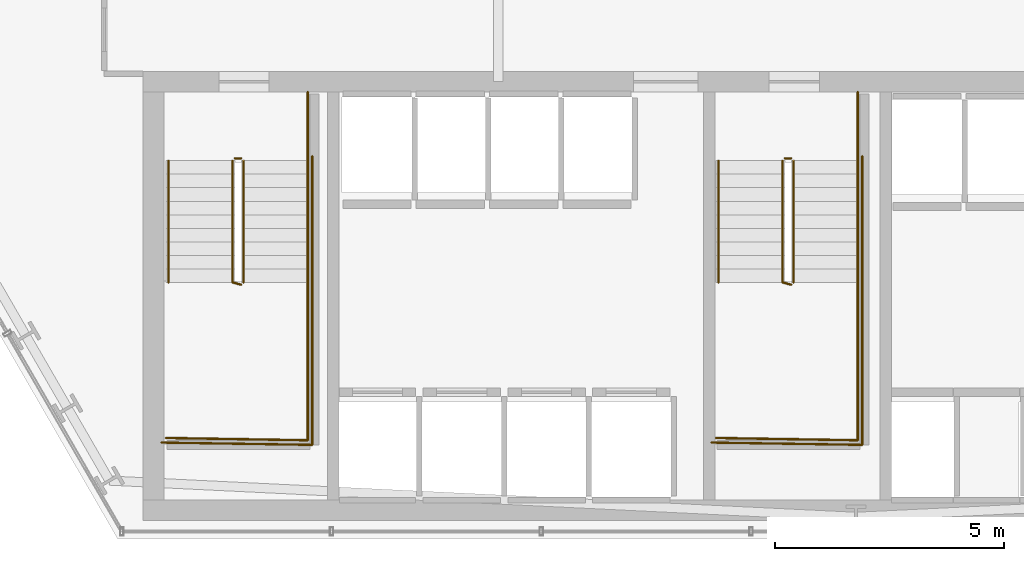
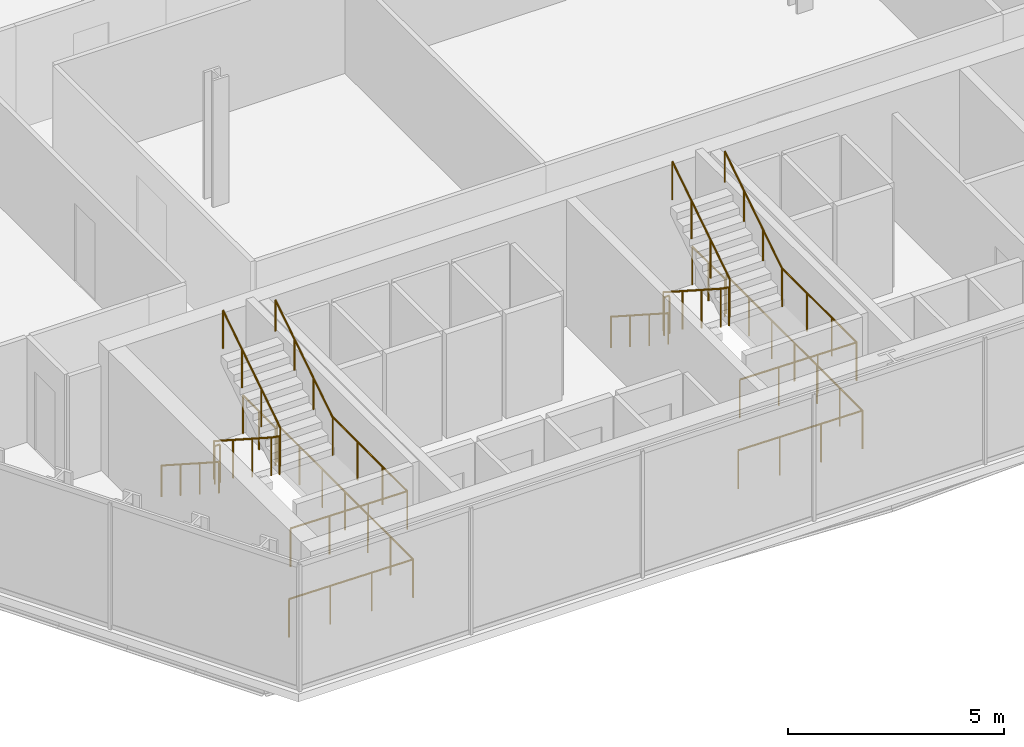
# One storey, part 30 of 32: 16 railings.
"""IFC4 building model written with IfcOpenShell, lengths in metres."""

from ifc_helpers import new_model, si_unit, direction, frame, origin, origin_2d, place, context, subcontext, project, spatial, circle, extrude, material, layer, layer_set, type_object, element, save


model = new_model("IFC4")

# Units and contexts
model_context = context("Model", 3, precision=1e-05, world=origin(), true_north=direction((0.0, 1.0)))
body_context = subcontext(model_context, "Body", "Model", "MODEL_VIEW")
ifc_project = project(units=[si_unit("LENGTHUNIT", "METRE"), si_unit("AREAUNIT", "SQUARE_METRE"), si_unit("VOLUMEUNIT", "CUBIC_METRE"), si_unit("PLANEANGLEUNIT", "RADIAN"), si_unit("MASSUNIT", "GRAM", prefix="KILO")], contexts=[model_context])

# Site, building, storey
site_placement = place(None, origin())
site = spatial("IfcSite", under=ifc_project, at=site_placement, CompositionType="ELEMENT")
building_placement = place(site_placement, origin())
building = spatial("IfcBuilding", under=site, at=building_placement, Name="Ndaravel Arena Tower", CompositionType="ELEMENT")
storey_placement = place(building_placement, frame((0.0, 0.0, 74.0)))
storey = spatial("IfcBuildingStorey", under=building, at=storey_placement, Name="L16", CompositionType="ELEMENT", Elevation=74.0)

# Railings
ifc_material_1 = material(Name="Steel S355", Category="steel")
ifc_layer_1 = layer(ifc_material_1, 0.06005859375)
ifc_layer_set_1 = layer_set([ifc_layer_1], Name="Steel S355")
railing_type_1 = type_object("IfcRailingType", Name="RAIL-STAIR-GD1100", PredefinedType="GUARDRAIL", material=ifc_layer_set_1)
railing_1_placement = place(storey_placement, frame((28.39990234375, 13.25, 0.18994140625)))
element("IfcRailing", 1, at=railing_1_placement, inside=storey, type_object=railing_type_1, Name="L16 ST-1 stair guard 1", PredefinedType="GUARDRAIL", context=body_context, shape_type="SweptSolid", body=[
    extrude(circle(Radius=0.02392578125, at=origin_2d()), frame((0.0, 0.0, 1.076171875), z_axis=(0.0, -0.840723540582, 0.54146461409), x_axis=(1.0, 0.0, 0.0)), (0.0, 0.0, 1.0), 3.157958984375),
    extrude(circle(Radius=0.02392578125, at=origin_2d()), frame((0.0, -2.655029296875, 2.7861328125), z_axis=(0.967074537263, -0.25449329928, 0.0), x_axis=(0.25449329928, 0.967074537263, 0.0)), (0.0, 0.0, 1.0), 0.19677734375),
    extrude(circle(Radius=0.02099609375, at=origin_2d()), origin(), (0.0, 0.0, 1.0), 1.052001953125),
    extrude(circle(Radius=0.02099609375, at=origin_2d()), frame((0.0, -0.885009765625, 0.570068359375)), (0.0, 0.0, 1.0), 1.052001953125),
    extrude(circle(Radius=0.02099609375, at=origin_2d()), frame((0.0, -1.77001953125, 1.139892578125)), (0.0, 0.0, 1.0), 1.052001953125),
    extrude(circle(Radius=0.02099609375, at=origin_2d()), frame((0.0, -2.655029296875, 1.7099609375)), (0.0, 0.0, 1.0), 1.052001953125),
    extrude(circle(Radius=0.02099609375, at=origin_2d()), frame((0.190185546875, -2.705078125, 1.7099609375)), (0.0, 0.0, 1.0), 1.052001953125),
])
railing_2_placement = place(storey_placement, frame((30.0400390625, 10.594970703125, 1.89990234375)))
element("IfcRailing", 2, at=railing_2_placement, inside=storey, type_object=railing_type_1, Name="L16 ST-1 stair guard 2", PredefinedType="GUARDRAIL", context=body_context, shape_type="SweptSolid", body=[
    extrude(circle(Radius=0.02392578125, at=origin_2d()), frame((0.0, 0.0, 1.076171875), z_axis=(0.0, -1.0, 0.0), x_axis=(1.0, 0.0, 0.0)), (0.0, 0.0, 1.0), 3.445068359375),
    extrude(circle(Radius=0.02392578125, at=origin_2d()), frame((0.0, -3.445068359375, 1.076171875), z_axis=(-0.999868861343, 0.016194447071, 0.0), x_axis=(-0.016194447071, -0.999868861343, 0.0)), (0.0, 0.0, 1.0), 3.090576171875),
    extrude(circle(Radius=0.02099609375, at=origin_2d()), origin(), (0.0, 0.0, 1.0), 1.052001953125),
    extrude(circle(Radius=0.02099609375, at=origin_2d()), frame((0.0, -1.1484375, 0.0)), (0.0, 0.0, 1.0), 1.052001953125),
    extrude(circle(Radius=0.02099609375, at=origin_2d()), frame((0.0, -2.296630859375, 0.0)), (0.0, 0.0, 1.0), 1.052001953125),
    extrude(circle(Radius=0.02099609375, at=origin_2d()), frame((0.0, -3.445068359375, 0.0)), (0.0, 0.0, 1.0), 1.052001953125),
    extrude(circle(Radius=0.02099609375, at=origin_2d()), frame((-1.030029296875, -3.428466796875, 0.0)), (0.0, 0.0, 1.0), 1.052001953125),
    extrude(circle(Radius=0.02099609375, at=origin_2d()), frame((-2.06005859375, -3.41162109375, 0.0)), (0.0, 0.0, 1.0), 1.052001953125),
    extrude(circle(Radius=0.02099609375, at=origin_2d()), frame((-3.090087890625, -3.39501953125, 0.0)), (0.0, 0.0, 1.0), 1.052001953125),
])
railing_3_placement = place(storey_placement, frame((28.639892578125, 10.594970703125, 2.090087890625)))
element("IfcRailing", 3, at=railing_3_placement, inside=storey, type_object=railing_type_1, Name="L16 ST-1 stair guard 3", PredefinedType="GUARDRAIL", context=body_context, shape_type="SweptSolid", body=[
    extrude(circle(Radius=0.02392578125, at=origin_2d()), frame((0.0, 0.0, 1.076171875), z_axis=(0.0, 0.840723540582, 0.54146461409), x_axis=(-1.0, 0.0, 0.0)), (0.0, 0.0, 1.0), 3.157958984375),
    extrude(circle(Radius=0.02099609375, at=origin_2d()), origin(), (0.0, 0.0, 1.0), 1.052001953125),
    extrude(circle(Radius=0.02099609375, at=origin_2d()), frame((0.0, 0.885009765625, 0.570068359375)), (0.0, 0.0, 1.0), 1.052001953125),
    extrude(circle(Radius=0.02099609375, at=origin_2d()), frame((0.0, 1.77001953125, 1.139892578125)), (0.0, 0.0, 1.0), 1.052001953125),
    extrude(circle(Radius=0.02099609375, at=origin_2d()), frame((0.0, 2.655029296875, 1.7099609375)), (0.0, 0.0, 1.0), 1.052001953125),
])
railing_4_placement = place(storey_placement, frame((28.449951171875, 13.300048828125, 0.0)))
element("IfcRailing", 4, at=railing_4_placement, inside=storey, type_object=railing_type_1, Name="L16 ST-1 stair guard 4", PredefinedType="GUARDRAIL", context=body_context, shape_type="SweptSolid", body=[
    extrude(circle(Radius=0.02392578125, at=origin_2d()), frame((0.0, 0.0, 1.076171875), z_axis=(1.0, 0.0, 0.0), x_axis=(0.0, 1.0, 0.0)), (0.0, 0.0, 1.0), 0.14013671875),
    extrude(circle(Radius=0.02099609375, at=origin_2d()), origin(), (0.0, 0.0, 1.0), 1.052001953125),
    extrude(circle(Radius=0.02099609375, at=origin_2d()), frame((0.14013671875, 0.0, 0.0)), (0.0, 0.0, 1.0), 1.052001953125),
])
railing_5_placement = place(storey_placement, frame((30.0400390625, 14.75, 0.0)))
element("IfcRailing", 5, at=railing_5_placement, inside=storey, type_object=railing_type_1, Name="L16 ST-1 stair guard 5", PredefinedType="GUARDRAIL", context=body_context, shape_type="SweptSolid", body=[
    extrude(circle(Radius=0.02392578125, at=origin_2d()), frame((0.0, 0.0, 1.076171875), z_axis=(0.0, -1.0, 0.0), x_axis=(1.0, 0.0, 0.0)), (0.0, 0.0, 1.0), 1.5),
    extrude(circle(Radius=0.02099609375, at=origin_2d()), origin(), (0.0, 0.0, 1.0), 1.052001953125),
    extrude(circle(Radius=0.02099609375, at=origin_2d()), frame((0.0, -0.75, 0.0)), (0.0, 0.0, 1.0), 1.052001953125),
    extrude(circle(Radius=0.02099609375, at=origin_2d()), frame((0.0, -1.5, 0.0)), (0.0, 0.0, 1.0), 1.052001953125),
])
railing_6_placement = place(storey_placement, frame((30.139892578125, 13.35009765625, 0.0)))
element("IfcRailing", 6, at=railing_6_placement, inside=storey, type_object=railing_type_1, Name="L16 ST-1 stair guard 6", PredefinedType="GUARDRAIL", context=body_context, shape_type="SweptSolid", body=[
    extrude(circle(Radius=0.02392578125, at=origin_2d()), frame((0.0, 0.0, 1.076171875), z_axis=(0.0, -1.0, 0.0), x_axis=(1.0, 0.0, 0.0)), (0.0, 0.0, 1.0), 6.300048828125),
    extrude(circle(Radius=0.02392578125, at=origin_2d()), frame((0.0, -6.300048828125, 1.076171875), z_axis=(-0.999884296952, 0.015211597839, 0.0), x_axis=(-0.015211597839, -0.999884296952, 0.0)), (0.0, 0.0, 1.0), 3.290283203125),
    extrude(circle(Radius=0.02099609375, at=origin_2d()), origin(), (0.0, 0.0, 1.0), 1.052001953125),
    extrude(circle(Radius=0.02099609375, at=origin_2d()), frame((0.0, -1.050048828125, 0.0)), (0.0, 0.0, 1.0), 1.052001953125),
    extrude(circle(Radius=0.02099609375, at=origin_2d()), frame((0.0, -2.10009765625, 0.0)), (0.0, 0.0, 1.0), 1.052001953125),
    extrude(circle(Radius=0.02099609375, at=origin_2d()), frame((0.0, -3.14990234375, 0.0)), (0.0, 0.0, 1.0), 1.052001953125),
    extrude(circle(Radius=0.02099609375, at=origin_2d()), frame((0.0, -4.199951171875, 0.0)), (0.0, 0.0, 1.0), 1.052001953125),
    extrude(circle(Radius=0.02099609375, at=origin_2d()), frame((0.0, -5.25, 0.0)), (0.0, 0.0, 1.0), 1.052001953125),
    extrude(circle(Radius=0.02099609375, at=origin_2d()), frame((0.0, -6.300048828125, 0.0)), (0.0, 0.0, 1.0), 1.052001953125),
    extrude(circle(Radius=0.02099609375, at=origin_2d()), frame((-1.0966796875, -6.283447265625, 0.0)), (0.0, 0.0, 1.0), 1.052001953125),
    extrude(circle(Radius=0.02099609375, at=origin_2d()), frame((-2.193115234375, -6.2666015625, 0.0)), (0.0, 0.0, 1.0), 1.052001953125),
    extrude(circle(Radius=0.02099609375, at=origin_2d()), frame((-3.289794921875, -6.25, 0.0)), (0.0, 0.0, 1.0), 1.052001953125),
])
railing_7_placement = place(storey_placement, frame((40.39990234375, 13.25, 0.18994140625)))
element("IfcRailing", 7, at=railing_7_placement, inside=storey, type_object=railing_type_1, Name="L16 ST-2 stair guard 1", PredefinedType="GUARDRAIL", context=body_context, shape_type="SweptSolid", body=[
    extrude(circle(Radius=0.02392578125, at=origin_2d()), frame((0.0, 0.0, 1.076171875), z_axis=(0.0, -0.840723540582, 0.54146461409), x_axis=(1.0, 0.0, 0.0)), (0.0, 0.0, 1.0), 3.157958984375),
    extrude(circle(Radius=0.02392578125, at=origin_2d()), frame((0.0, -2.655029296875, 2.7861328125), z_axis=(0.967074537263, -0.25449329928, 0.0), x_axis=(0.25449329928, 0.967074537263, 0.0)), (0.0, 0.0, 1.0), 0.19677734375),
    extrude(circle(Radius=0.02099609375, at=origin_2d()), origin(), (0.0, 0.0, 1.0), 1.052001953125),
    extrude(circle(Radius=0.02099609375, at=origin_2d()), frame((0.0, -0.885009765625, 0.570068359375)), (0.0, 0.0, 1.0), 1.052001953125),
    extrude(circle(Radius=0.02099609375, at=origin_2d()), frame((0.0, -1.77001953125, 1.139892578125)), (0.0, 0.0, 1.0), 1.052001953125),
    extrude(circle(Radius=0.02099609375, at=origin_2d()), frame((0.0, -2.655029296875, 1.7099609375)), (0.0, 0.0, 1.0), 1.052001953125),
    extrude(circle(Radius=0.02099609375, at=origin_2d()), frame((0.190185546875, -2.705078125, 1.7099609375)), (0.0, 0.0, 1.0), 1.052001953125),
])
railing_8_placement = place(storey_placement, frame((42.0400390625, 10.594970703125, 1.89990234375)))
element("IfcRailing", 8, at=railing_8_placement, inside=storey, type_object=railing_type_1, Name="L16 ST-2 stair guard 2", PredefinedType="GUARDRAIL", context=body_context, shape_type="SweptSolid", body=[
    extrude(circle(Radius=0.02392578125, at=origin_2d()), frame((0.0, 0.0, 1.076171875), z_axis=(0.0, -1.0, 0.0), x_axis=(1.0, 0.0, 0.0)), (0.0, 0.0, 1.0), 3.445068359375),
    extrude(circle(Radius=0.02392578125, at=origin_2d()), frame((0.0, -3.445068359375, 1.076171875), z_axis=(-0.999868861343, 0.016194447071, 0.0), x_axis=(-0.016194447071, -0.999868861343, 0.0)), (0.0, 0.0, 1.0), 3.090576171875),
    extrude(circle(Radius=0.02099609375, at=origin_2d()), origin(), (0.0, 0.0, 1.0), 1.052001953125),
    extrude(circle(Radius=0.02099609375, at=origin_2d()), frame((0.0, -1.1484375, 0.0)), (0.0, 0.0, 1.0), 1.052001953125),
    extrude(circle(Radius=0.02099609375, at=origin_2d()), frame((0.0, -2.296630859375, 0.0)), (0.0, 0.0, 1.0), 1.052001953125),
    extrude(circle(Radius=0.02099609375, at=origin_2d()), frame((0.0, -3.445068359375, 0.0)), (0.0, 0.0, 1.0), 1.052001953125),
    extrude(circle(Radius=0.02099609375, at=origin_2d()), frame((-1.030029296875, -3.428466796875, 0.0)), (0.0, 0.0, 1.0), 1.052001953125),
    extrude(circle(Radius=0.02099609375, at=origin_2d()), frame((-2.06005859375, -3.41162109375, 0.0)), (0.0, 0.0, 1.0), 1.052001953125),
    extrude(circle(Radius=0.02099609375, at=origin_2d()), frame((-3.090087890625, -3.39501953125, 0.0)), (0.0, 0.0, 1.0), 1.052001953125),
])
railing_9_placement = place(storey_placement, frame((40.639892578125, 10.594970703125, 2.090087890625)))
element("IfcRailing", 9, at=railing_9_placement, inside=storey, type_object=railing_type_1, Name="L16 ST-2 stair guard 3", PredefinedType="GUARDRAIL", context=body_context, shape_type="SweptSolid", body=[
    extrude(circle(Radius=0.02392578125, at=origin_2d()), frame((0.0, 0.0, 1.076171875), z_axis=(0.0, 0.840723540582, 0.54146461409), x_axis=(-1.0, 0.0, 0.0)), (0.0, 0.0, 1.0), 3.157958984375),
    extrude(circle(Radius=0.02099609375, at=origin_2d()), origin(), (0.0, 0.0, 1.0), 1.052001953125),
    extrude(circle(Radius=0.02099609375, at=origin_2d()), frame((0.0, 0.885009765625, 0.570068359375)), (0.0, 0.0, 1.0), 1.052001953125),
    extrude(circle(Radius=0.02099609375, at=origin_2d()), frame((0.0, 1.77001953125, 1.139892578125)), (0.0, 0.0, 1.0), 1.052001953125),
    extrude(circle(Radius=0.02099609375, at=origin_2d()), frame((0.0, 2.655029296875, 1.7099609375)), (0.0, 0.0, 1.0), 1.052001953125),
])
railing_10_placement = place(storey_placement, frame((40.449951171875, 13.300048828125, 0.0)))
element("IfcRailing", 10, at=railing_10_placement, inside=storey, type_object=railing_type_1, Name="L16 ST-2 stair guard 4", PredefinedType="GUARDRAIL", context=body_context, shape_type="SweptSolid", body=[
    extrude(circle(Radius=0.02392578125, at=origin_2d()), frame((0.0, 0.0, 1.076171875), z_axis=(1.0, 0.0, 0.0), x_axis=(0.0, 1.0, 0.0)), (0.0, 0.0, 1.0), 0.14013671875),
    extrude(circle(Radius=0.02099609375, at=origin_2d()), origin(), (0.0, 0.0, 1.0), 1.052001953125),
    extrude(circle(Radius=0.02099609375, at=origin_2d()), frame((0.14013671875, 0.0, 0.0)), (0.0, 0.0, 1.0), 1.052001953125),
])
railing_11_placement = place(storey_placement, frame((42.0400390625, 14.75, 0.0)))
element("IfcRailing", 11, at=railing_11_placement, inside=storey, type_object=railing_type_1, Name="L16 ST-2 stair guard 5", PredefinedType="GUARDRAIL", context=body_context, shape_type="SweptSolid", body=[
    extrude(circle(Radius=0.02392578125, at=origin_2d()), frame((0.0, 0.0, 1.076171875), z_axis=(0.0, -1.0, 0.0), x_axis=(1.0, 0.0, 0.0)), (0.0, 0.0, 1.0), 1.5),
    extrude(circle(Radius=0.02099609375, at=origin_2d()), origin(), (0.0, 0.0, 1.0), 1.052001953125),
    extrude(circle(Radius=0.02099609375, at=origin_2d()), frame((0.0, -0.75, 0.0)), (0.0, 0.0, 1.0), 1.052001953125),
    extrude(circle(Radius=0.02099609375, at=origin_2d()), frame((0.0, -1.5, 0.0)), (0.0, 0.0, 1.0), 1.052001953125),
])
railing_12_placement = place(storey_placement, frame((42.139892578125, 13.35009765625, 0.0)))
element("IfcRailing", 12, at=railing_12_placement, inside=storey, type_object=railing_type_1, Name="L16 ST-2 stair guard 6", PredefinedType="GUARDRAIL", context=body_context, shape_type="SweptSolid", body=[
    extrude(circle(Radius=0.02392578125, at=origin_2d()), frame((0.0, 0.0, 1.076171875), z_axis=(0.0, -1.0, 0.0), x_axis=(1.0, 0.0, 0.0)), (0.0, 0.0, 1.0), 6.300048828125),
    extrude(circle(Radius=0.02392578125, at=origin_2d()), frame((0.0, -6.300048828125, 1.076171875), z_axis=(-0.999884296952, 0.015211597839, 0.0), x_axis=(-0.015211597839, -0.999884296952, 0.0)), (0.0, 0.0, 1.0), 3.290283203125),
    extrude(circle(Radius=0.02099609375, at=origin_2d()), origin(), (0.0, 0.0, 1.0), 1.052001953125),
    extrude(circle(Radius=0.02099609375, at=origin_2d()), frame((0.0, -1.050048828125, 0.0)), (0.0, 0.0, 1.0), 1.052001953125),
    extrude(circle(Radius=0.02099609375, at=origin_2d()), frame((0.0, -2.10009765625, 0.0)), (0.0, 0.0, 1.0), 1.052001953125),
    extrude(circle(Radius=0.02099609375, at=origin_2d()), frame((0.0, -3.14990234375, 0.0)), (0.0, 0.0, 1.0), 1.052001953125),
    extrude(circle(Radius=0.02099609375, at=origin_2d()), frame((0.0, -4.199951171875, 0.0)), (0.0, 0.0, 1.0), 1.052001953125),
    extrude(circle(Radius=0.02099609375, at=origin_2d()), frame((0.0, -5.25, 0.0)), (0.0, 0.0, 1.0), 1.052001953125),
    extrude(circle(Radius=0.02099609375, at=origin_2d()), frame((0.0, -6.300048828125, 0.0)), (0.0, 0.0, 1.0), 1.052001953125),
    extrude(circle(Radius=0.02099609375, at=origin_2d()), frame((-1.0966796875, -6.283447265625, 0.0)), (0.0, 0.0, 1.0), 1.052001953125),
    extrude(circle(Radius=0.02099609375, at=origin_2d()), frame((-2.193115234375, -6.2666015625, 0.0)), (0.0, 0.0, 1.0), 1.052001953125),
    extrude(circle(Radius=0.02099609375, at=origin_2d()), frame((-3.289794921875, -6.25, 0.0)), (0.0, 0.0, 1.0), 1.052001953125),
])
ifc_material_2 = material(Name="Steel S355", Category="steel")
ifc_layer_2 = layer(ifc_material_2, 0.050048828125)
ifc_layer_set_2 = layer_set([ifc_layer_2], Name="Steel S355")
railing_type_2 = type_object("IfcRailingType", Name="RAIL-STAIR-HR920", PredefinedType="HANDRAIL", material=ifc_layer_set_2)
railing_13_placement = place(storey_placement, frame((27.0, 13.25, 0.18994140625)))
element("IfcRailing", 13, at=railing_13_placement, inside=storey, type_object=railing_type_2, Name="L16 ST-1 stair handrail 1", PredefinedType="HANDRAIL", context=body_context, shape_type="SweptSolid", body=[
    extrude(circle(Radius=0.02392578125, at=origin_2d()), frame((0.0, 0.0, 0.8759765625), z_axis=(0.0, -0.840723540582, 0.54146461409), x_axis=(1.0, 0.0, 0.0)), (0.0, 0.0, 1.0), 3.157958984375),
    extrude(circle(Radius=0.02099609375, at=origin_2d()), origin(), (0.0, 0.0, 1.0), 0.851806640625),
    extrude(circle(Radius=0.02099609375, at=origin_2d()), frame((0.0, -0.885009765625, 0.570068359375)), (0.0, 0.0, 1.0), 0.851806640625),
    extrude(circle(Radius=0.02099609375, at=origin_2d()), frame((0.0, -1.77001953125, 1.139892578125)), (0.0, 0.0, 1.0), 0.851806640625),
    extrude(circle(Radius=0.02099609375, at=origin_2d()), frame((0.0, -2.655029296875, 1.7099609375)), (0.0, 0.0, 1.0), 0.851806640625),
])
railing_14_placement = place(storey_placement, frame((30.0400390625, 10.594970703125, 2.090087890625)))
element("IfcRailing", 14, at=railing_14_placement, inside=storey, type_object=railing_type_2, Name="L16 ST-1 stair handrail 2", PredefinedType="HANDRAIL", context=body_context, shape_type="SweptSolid", body=[
    extrude(circle(Radius=0.02392578125, at=origin_2d()), frame((0.0, 0.0, 0.8759765625), z_axis=(0.0, 0.840723540582, 0.54146461409), x_axis=(-1.0, 0.0, 0.0)), (0.0, 0.0, 1.0), 3.157958984375),
    extrude(circle(Radius=0.02099609375, at=origin_2d()), origin(), (0.0, 0.0, 1.0), 0.851806640625),
    extrude(circle(Radius=0.02099609375, at=origin_2d()), frame((0.0, 0.885009765625, 0.570068359375)), (0.0, 0.0, 1.0), 0.851806640625),
    extrude(circle(Radius=0.02099609375, at=origin_2d()), frame((0.0, 1.77001953125, 1.139892578125)), (0.0, 0.0, 1.0), 0.851806640625),
    extrude(circle(Radius=0.02099609375, at=origin_2d()), frame((0.0, 2.655029296875, 1.7099609375)), (0.0, 0.0, 1.0), 0.851806640625),
])
railing_15_placement = place(storey_placement, frame((39.0, 13.25, 0.18994140625)))
element("IfcRailing", 15, at=railing_15_placement, inside=storey, type_object=railing_type_2, Name="L16 ST-2 stair handrail 1", PredefinedType="HANDRAIL", context=body_context, shape_type="SweptSolid", body=[
    extrude(circle(Radius=0.02392578125, at=origin_2d()), frame((0.0, 0.0, 0.8759765625), z_axis=(0.0, -0.840723540582, 0.54146461409), x_axis=(1.0, 0.0, 0.0)), (0.0, 0.0, 1.0), 3.157958984375),
    extrude(circle(Radius=0.02099609375, at=origin_2d()), origin(), (0.0, 0.0, 1.0), 0.851806640625),
    extrude(circle(Radius=0.02099609375, at=origin_2d()), frame((0.0, -0.885009765625, 0.570068359375)), (0.0, 0.0, 1.0), 0.851806640625),
    extrude(circle(Radius=0.02099609375, at=origin_2d()), frame((0.0, -1.77001953125, 1.139892578125)), (0.0, 0.0, 1.0), 0.851806640625),
    extrude(circle(Radius=0.02099609375, at=origin_2d()), frame((0.0, -2.655029296875, 1.7099609375)), (0.0, 0.0, 1.0), 0.851806640625),
])
railing_16_placement = place(storey_placement, frame((42.0400390625, 10.594970703125, 2.090087890625)))
element("IfcRailing", 16, at=railing_16_placement, inside=storey, type_object=railing_type_2, Name="L16 ST-2 stair handrail 2", PredefinedType="HANDRAIL", context=body_context, shape_type="SweptSolid", body=[
    extrude(circle(Radius=0.02392578125, at=origin_2d()), frame((0.0, 0.0, 0.8759765625), z_axis=(0.0, 0.840723540582, 0.54146461409), x_axis=(-1.0, 0.0, 0.0)), (0.0, 0.0, 1.0), 3.157958984375),
    extrude(circle(Radius=0.02099609375, at=origin_2d()), origin(), (0.0, 0.0, 1.0), 0.851806640625),
    extrude(circle(Radius=0.02099609375, at=origin_2d()), frame((0.0, 0.885009765625, 0.570068359375)), (0.0, 0.0, 1.0), 0.851806640625),
    extrude(circle(Radius=0.02099609375, at=origin_2d()), frame((0.0, 1.77001953125, 1.139892578125)), (0.0, 0.0, 1.0), 0.851806640625),
    extrude(circle(Radius=0.02099609375, at=origin_2d()), frame((0.0, 2.655029296875, 1.7099609375)), (0.0, 0.0, 1.0), 0.851806640625),
])

save(model, "model.ifc")
